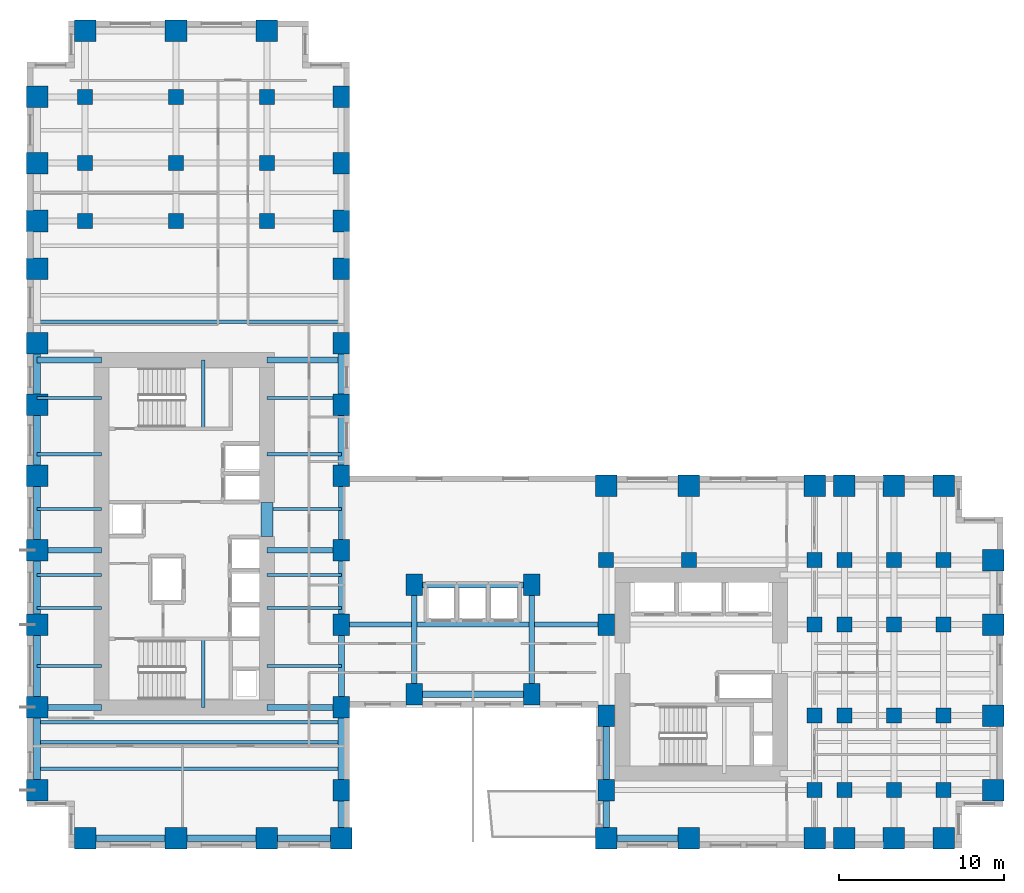
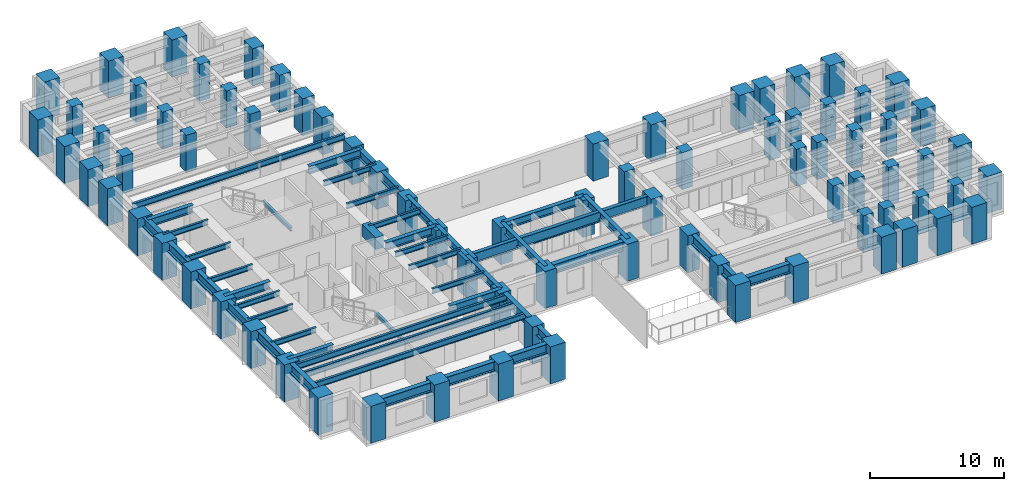
# One storey, part 1 of 12: 79 columns, 49 beams.
"""IFC4 building model written with IfcOpenShell, lengths in metres."""

from ifc_helpers import new_model, si_unit, direction, frame, origin, origin_2d, place, context, subcontext, project, spatial, rectangle, i_section, extrude, source, transform, mapped, material, material_profile, profile_set, type_object, element, save


model = new_model("IFC4")

# Units and contexts
model_context = context("Model", 3, precision=1e-05, world=origin(), true_north=direction((0.0, 1.0)))
body_context = subcontext(model_context, "Body", "Model", "MODEL_VIEW")
ifc_project = project(units=[si_unit("LENGTHUNIT", "METRE"), si_unit("AREAUNIT", "SQUARE_METRE"), si_unit("VOLUMEUNIT", "CUBIC_METRE"), si_unit("PLANEANGLEUNIT", "RADIAN"), si_unit("MASSUNIT", "GRAM", prefix="KILO")], contexts=[model_context])

# Site, building, storey
site_placement = place(None, origin())
site = spatial("IfcSite", under=ifc_project, at=site_placement, CompositionType="ELEMENT")
building_placement = place(site_placement, origin())
building = spatial("IfcBuilding", under=site, at=building_placement, Name="Kharzan Plaza Tower", CompositionType="ELEMENT")
storey_placement = place(building_placement, frame((0.0, 0.0, 62.10009765625)))
storey = spatial("IfcBuildingStorey", under=building, at=storey_placement, Name="L16", CompositionType="ELEMENT", Elevation=62.10009765625)

# Columns
ifc_material_1 = material(Name="Concrete C50/60", Category="concrete")
ifc_material_profile_1 = material_profile(ifc_material_1, rectangle(XDim=0.89990234375, YDim=0.89990234375, at=origin_2d()), Name="RC-IC900x900")
ifc_profile_set_1 = profile_set([ifc_material_profile_1], Name="Concrete C50/60")
column_type_1 = type_object("IfcColumnType", Name="COL-IC900", PredefinedType="COLUMN", material=ifc_profile_set_1)
shared_shape_1 = source(origin(), body_context, "Body", "SweptSolid", [
    extrude(rectangle(XDim=0.89990234375, YDim=0.89990234375, at=origin_2d()), origin(), (0.0, 0.0, 1.0), 3.3798828125),
])
for number, where, z_axis, x_axis, name in (
    (1, (47.60009765625, 13.5, 0.0), (0.0, 0.0, 1.0), (1.0, 0.0, 0.0), "L16 Structural Column TCBI-135"),
    (2, (47.60009765625, 3.5, 0.0), (0.0, 0.0, 1.0), (1.0, 0.0, 0.0), "L16 Structural Column TCBI-35"),
    (3, (47.60009765625, 8.0, 0.0), (0.0, 0.0, 1.0), (1.0, 0.0, 0.0), "L16 Structural Column TCBI-80"),
    (4, (35.0, 17.39990234375, 0.0), (0.0, 0.0, 1.0), (1.0, 0.0, 0.0), "L16 Structural Column TCBN-350-174"),
    (5, (40.0, 17.39990234375, 0.0), (0.0, 0.0, 1.0), (1.0, 0.0, 0.0), "L16 Structural Column TCBN-400-174"),
    (6, (47.60009765625, 17.39990234375, 0.0), (0.0, 0.0, 1.0), (1.0, 0.0, 0.0), "L16 Structural Column TCBN-476-174"),
    (7, (49.39990234375, 13.5, 0.0), (0.0, 0.0, 1.0), (1.0, 0.0, 0.0), "L16 Structural Column TCE-494-135"),
    (8, (49.39990234375, 17.39990234375, 0.0), (0.0, 0.0, 1.0), (1.0, 0.0, 0.0), "L16 Structural Column TCE-494-174"),
    (9, (49.39990234375, 3.5, 0.0), (0.0, 0.0, 1.0), (1.0, 0.0, 0.0), "L16 Structural Column TCE-494-35"),
    (10, (49.39990234375, 8.0, 0.0), (0.0, 0.0, 1.0), (1.0, 0.0, 0.0), "L16 Structural Column TCE-494-80"),
    (11, (52.39990234375, 13.5, 0.0), (0.0, 0.0, 1.0), (1.0, 0.0, 0.0), "L16 Structural Column TCE-524-135"),
    (12, (52.39990234375, 17.39990234375, 0.0), (0.0, 0.0, 1.0), (1.0, 0.0, 0.0), "L16 Structural Column TCE-524-174"),
    (13, (52.39990234375, 3.5, 0.0), (0.0, 0.0, 1.0), (1.0, 0.0, 0.0), "L16 Structural Column TCE-524-35"),
    (14, (52.39990234375, 8.0, 0.0), (0.0, 0.0, 1.0), (1.0, 0.0, 0.0), "L16 Structural Column TCE-524-80"),
    (15, (55.39990234375, 13.5, 0.0), (0.0, 0.0, 1.0), (1.0, 0.0, 0.0), "L16 Structural Column TCE-554-135"),
    (16, (55.39990234375, 17.39990234375, 0.0), (0.0, 0.0, 1.0), (1.0, 0.0, 0.0), "L16 Structural Column TCE-554-174"),
    (17, (55.39990234375, 3.5, 0.0), (0.0, 0.0, 1.0), (1.0, 0.0, 0.0), "L16 Structural Column TCE-554-35"),
    (18, (55.39990234375, 8.0, 0.0), (0.0, 0.0, 1.0), (1.0, 0.0, 0.0), "L16 Structural Column TCE-554-80"),
    (19, (14.5, 37.89990234375, 0.0), (0.0, 0.0, 1.0), (1.0, 0.0, 0.0), "L16 Structural Column TCN-145-379"),
    (20, (14.5, 41.39990234375, 0.0), (0.0, 0.0, 1.0), (1.0, 0.0, 0.0), "L16 Structural Column TCN-145-414"),
    (21, (14.5, 45.39990234375, 0.0), (0.0, 0.0, 1.0), (1.0, 0.0, 0.0), "L16 Structural Column TCN-145-454"),
    (22, (3.5, 37.89990234375, 0.0), (0.0, 0.0, 1.0), (1.0, 0.0, 0.0), "L16 Structural Column TCN-35-379"),
    (23, (3.5, 41.39990234375, 0.0), (0.0, 0.0, 1.0), (1.0, 0.0, 0.0), "L16 Structural Column TCN-35-414"),
    (24, (3.5, 45.39990234375, 0.0), (0.0, 0.0, 1.0), (1.0, 0.0, 0.0), "L16 Structural Column TCN-35-454"),
    (25, (9.0, 37.89990234375, 0.0), (0.0, 0.0, 1.0), (1.0, 0.0, 0.0), "L16 Structural Column TCN-90-379"),
    (26, (9.0, 41.39990234375, 0.0), (0.0, 0.0, 1.0), (1.0, 0.0, 0.0), "L16 Structural Column TCN-90-414"),
    (27, (9.0, 45.39990234375, 0.0), (0.0, 0.0, 1.0), (1.0, 0.0, 0.0), "L16 Structural Column TCN-90-454"),
):
    element("IfcColumn", number, at=place(storey_placement, frame(where, z_axis=z_axis, x_axis=x_axis)), inside=storey, type_object=column_type_1, Name=name, PredefinedType="COLUMN", context=body_context, shape_type="MappedRepresentation", body=[
        mapped(shared_shape_1, transform((0.0, 0.0, 0.0), x_axis=(1.0, 0.0, 0.0), y_axis=(0.0, 1.0, 0.0), z_axis=(0.0, 0.0, 1.0))),
    ])
ifc_material_2 = material(Name="Concrete C60/75", Category="concrete")
ifc_material_profile_2 = material_profile(ifc_material_2, rectangle(XDim=1.0, YDim=1.300048828125, at=origin_2d()), Name="RC-SC1300x1000")
ifc_profile_set_2 = profile_set([ifc_material_profile_2], Name="Concrete C60/75")
column_type_2 = type_object("IfcColumnType", Name="COL-SC1300", PredefinedType="COLUMN", material=ifc_profile_set_2)
shared_shape_2 = source(origin(), body_context, "Body", "SweptSolid", [
    extrude(rectangle(XDim=1.0, YDim=1.300048828125, at=origin_2d()), origin(), (0.0, 0.0, 1.0), 3.3798828125),
])
for number, where, z_axis, x_axis, name in (
    (28, (19.0, 13.5, 0.0), (0.0, 0.0, 1.0), (1.0, 0.0, 0.0), "L16 Structural Column TCA-135"),
    (29, (19.0, 18.0, 0.0), (0.0, 0.0, 1.0), (1.0, 0.0, 0.0), "L16 Structural Column TCA-180"),
    (30, (19.0, 22.5, 0.0), (0.0, 0.0, 1.0), (1.0, 0.0, 0.0), "L16 Structural Column TCA-225"),
    (31, (19.0, 26.800048828125, 0.0), (0.0, 0.0, 1.0), (1.0, 0.0, 0.0), "L16 Structural Column TCA-268"),
    (32, (19.0, 30.5, 0.0), (0.0, 0.0, 1.0), (1.0, 0.0, 0.0), "L16 Structural Column TCA-305"),
    (33, (19.0, 3.5, 0.0), (0.0, 0.0, 1.0), (1.0, 0.0, 0.0), "L16 Structural Column TCA-35"),
    (34, (19.0, 35.0, 0.0), (0.0, 0.0, 1.0), (1.0, 0.0, 0.0), "L16 Structural Column TCA-350"),
    (35, (19.0, 37.89990234375, 0.0), (0.0, 0.0, 1.0), (1.0, 0.0, 0.0), "L16 Structural Column TCA-379"),
    (36, (19.0, 41.39990234375, 0.0), (0.0, 0.0, 1.0), (1.0, 0.0, 0.0), "L16 Structural Column TCA-414"),
    (37, (19.0, 45.39990234375, 0.0), (0.0, 0.0, 1.0), (1.0, 0.0, 0.0), "L16 Structural Column TCA-454"),
    (38, (19.0, 8.5, 0.0), (0.0, 0.0, 1.0), (1.0, 0.0, 0.0), "L16 Structural Column TCA-85"),
    (39, (35.0, 13.5, 0.0), (0.0, 0.0, 1.0), (1.0, 0.0, 0.0), "L16 Structural Column TCBS-135"),
    (40, (35.0, 3.5, 0.0), (0.0, 0.0, 1.0), (1.0, 0.0, 0.0), "L16 Structural Column TCBS-35"),
    (41, (35.0, 8.0, 0.0), (0.0, 0.0, 1.0), (1.0, 0.0, 0.0), "L16 Structural Column TCBS-80"),
    (42, (23.39990234375, 15.89990234375, 0.0), (0.0, 0.0, 1.0), (1.0, 0.0, 0.0), "L16 Structural Column TCSP-234-159"),
    (43, (23.39990234375, 9.300048828125, 0.0), (0.0, 0.0, 1.0), (1.0, 0.0, 0.0), "L16 Structural Column TCSP-234-93"),
    (44, (30.5, 15.89990234375, 0.0), (0.0, 0.0, 1.0), (1.0, 0.0, 0.0), "L16 Structural Column TCSP-305-159"),
    (45, (30.5, 9.300048828125, 0.0), (0.0, 0.0, 1.0), (1.0, 0.0, 0.0), "L16 Structural Column TCSP-305-93"),
):
    element("IfcColumn", number, at=place(storey_placement, frame(where, z_axis=z_axis, x_axis=x_axis)), inside=storey, type_object=column_type_2, Name=name, PredefinedType="COLUMN", context=body_context, shape_type="MappedRepresentation", body=[
        mapped(shared_shape_2, transform((0.0, 0.0, 0.0), x_axis=(1.0, 0.0, 0.0), y_axis=(0.0, 1.0, 0.0), z_axis=(0.0, 0.0, 1.0))),
    ])
ifc_material_profile_3 = material_profile(ifc_material_2, rectangle(XDim=1.300048828125, YDim=1.300048828125, at=origin_2d()), Name="RC-TC1300x1300")
ifc_profile_set_3 = profile_set([ifc_material_profile_3], Name="Concrete C60/75")
column_type_3 = type_object("IfcColumnType", Name="COL-TC1300", PredefinedType="COLUMN", material=ifc_profile_set_3)
shared_shape_3 = source(origin(), body_context, "Body", "SweptSolid", [
    extrude(rectangle(XDim=1.300048828125, YDim=1.300048828125, at=origin_2d()), origin(), (0.0, 0.0, 1.0), 3.3798828125),
])
for number, where, z_axis, x_axis, name in (
    (46, (35.0, 21.89990234375, 0.0), (0.0, 0.0, 1.0), (1.0, 0.0, 0.0), "L16 Structural Column TCBN-350-219"),
    (47, (40.0, 21.89990234375, 0.0), (0.0, 0.0, 1.0), (1.0, 0.0, 0.0), "L16 Structural Column TCBN-400-219"),
    (48, (47.60009765625, 21.89990234375, 0.0), (0.0, 0.0, 1.0), (1.0, 0.0, 0.0), "L16 Structural Column TCBN-476-219"),
    (49, (49.39990234375, 21.89990234375, 0.0), (0.0, 0.0, 1.0), (1.0, 0.0, 0.0), "L16 Structural Column TCBN-494-219"),
    (50, (52.39990234375, 21.89990234375, 0.0), (0.0, 0.0, 1.0), (1.0, 0.0, 0.0), "L16 Structural Column TCBN-524-219"),
    (51, (55.39990234375, 21.89990234375, 0.0), (0.0, 0.0, 1.0), (1.0, 0.0, 0.0), "L16 Structural Column TCBN-554-219"),
    (52, (58.39990234375, 13.5, 0.0), (0.0, 0.0, 1.0), (1.0, 0.0, 0.0), "L16 Structural Column TCE-584-135"),
    (53, (58.39990234375, 17.39990234375, 0.0), (0.0, 0.0, 1.0), (1.0, 0.0, 0.0), "L16 Structural Column TCE-584-174"),
    (54, (58.39990234375, 3.5, 0.0), (0.0, 0.0, 1.0), (1.0, 0.0, 0.0), "L16 Structural Column TCE-584-35"),
    (55, (58.39990234375, 8.0, 0.0), (0.0, 0.0, 1.0), (1.0, 0.0, 0.0), "L16 Structural Column TCE-584-80"),
    (56, (14.5, 49.39990234375, 0.0), (0.0, 0.0, 1.0), (1.0, 0.0, 0.0), "L16 Structural Column TCN-145-494"),
    (57, (3.5, 49.39990234375, 0.0), (0.0, 0.0, 1.0), (1.0, 0.0, 0.0), "L16 Structural Column TCN-35-494"),
    (58, (9.0, 49.39990234375, 0.0), (0.0, 0.0, 1.0), (1.0, 0.0, 0.0), "L16 Structural Column TCN-90-494"),
    (59, (14.5, 0.60009765625, 0.0), (0.0, 0.0, 1.0), (1.0, 0.0, 0.0), "L16 Structural Column TCS-145"),
    (60, (19.0, 0.60009765625, 0.0), (0.0, 0.0, 1.0), (1.0, 0.0, 0.0), "L16 Structural Column TCS-190"),
    (61, (3.5, 0.60009765625, 0.0), (0.0, 0.0, 1.0), (1.0, 0.0, 0.0), "L16 Structural Column TCS-35"),
    (62, (35.0, 0.60009765625, 0.0), (0.0, 0.0, 1.0), (1.0, 0.0, 0.0), "L16 Structural Column TCS-350"),
    (63, (40.0, 0.60009765625, 0.0), (0.0, 0.0, 1.0), (1.0, 0.0, 0.0), "L16 Structural Column TCS-400"),
    (64, (47.60009765625, 0.60009765625, 0.0), (0.0, 0.0, 1.0), (1.0, 0.0, 0.0), "L16 Structural Column TCS-476"),
    (65, (49.39990234375, 0.60009765625, 0.0), (0.0, 0.0, 1.0), (1.0, 0.0, 0.0), "L16 Structural Column TCS-494"),
    (66, (52.39990234375, 0.60009765625, 0.0), (0.0, 0.0, 1.0), (1.0, 0.0, 0.0), "L16 Structural Column TCS-524"),
    (67, (55.39990234375, 0.60009765625, 0.0), (0.0, 0.0, 1.0), (1.0, 0.0, 0.0), "L16 Structural Column TCS-554"),
    (68, (9.0, 0.60009765625, 0.0), (0.0, 0.0, 1.0), (1.0, 0.0, 0.0), "L16 Structural Column TCS-90"),
    (69, (0.60009765625, 13.5, 0.0), (0.0, 0.0, 1.0), (1.0, 0.0, 0.0), "L16 Structural Column TCW-135"),
    (70, (0.60009765625, 18.0, 0.0), (0.0, 0.0, 1.0), (1.0, 0.0, 0.0), "L16 Structural Column TCW-180"),
    (71, (0.60009765625, 22.5, 0.0), (0.0, 0.0, 1.0), (1.0, 0.0, 0.0), "L16 Structural Column TCW-225"),
    (72, (0.60009765625, 26.800048828125, 0.0), (0.0, 0.0, 1.0), (1.0, 0.0, 0.0), "L16 Structural Column TCW-268"),
    (73, (0.60009765625, 30.5, 0.0), (0.0, 0.0, 1.0), (1.0, 0.0, 0.0), "L16 Structural Column TCW-305"),
    (74, (0.60009765625, 3.5, 0.0), (0.0, 0.0, 1.0), (1.0, 0.0, 0.0), "L16 Structural Column TCW-35"),
    (75, (0.60009765625, 35.0, 0.0), (0.0, 0.0, 1.0), (1.0, 0.0, 0.0), "L16 Structural Column TCW-350"),
    (76, (0.60009765625, 37.89990234375, 0.0), (0.0, 0.0, 1.0), (1.0, 0.0, 0.0), "L16 Structural Column TCW-379"),
    (77, (0.60009765625, 41.39990234375, 0.0), (0.0, 0.0, 1.0), (1.0, 0.0, 0.0), "L16 Structural Column TCW-414"),
    (78, (0.60009765625, 45.39990234375, 0.0), (0.0, 0.0, 1.0), (1.0, 0.0, 0.0), "L16 Structural Column TCW-454"),
    (79, (0.60009765625, 8.5, 0.0), (0.0, 0.0, 1.0), (1.0, 0.0, 0.0), "L16 Structural Column TCW-85"),
):
    element("IfcColumn", number, at=place(storey_placement, frame(where, z_axis=z_axis, x_axis=x_axis)), inside=storey, type_object=column_type_3, Name=name, PredefinedType="COLUMN", context=body_context, shape_type="MappedRepresentation", body=[
        mapped(shared_shape_3, transform((0.0, 0.0, 0.0), x_axis=(1.0, 0.0, 0.0), y_axis=(0.0, 1.0, 0.0), z_axis=(0.0, 0.0, 1.0))),
    ])

# Beams
ifc_material_profile_4 = material_profile(ifc_material_2, rectangle(XDim=0.699951171875, YDim=1.10009765625, at=origin_2d()), Name="RC-CB1100x700")
ifc_profile_set_4 = profile_set([ifc_material_profile_4], Name="Concrete C60/75")
beam_type_1 = type_object("IfcBeamType", Name="BM-RCCB1100", PredefinedType="LINTEL", material=ifc_profile_set_4)
shared_shape_4 = source(origin(), body_context, "Body", "SweptSolid", [
    extrude(rectangle(XDim=0.699951171875, YDim=1.10009765625, at=origin_2d()), origin(), (0.0, 0.0, 1.0), 2.059814453125),
])
beam_1_placement = place(storey_placement, frame((14.5, 18.820068359375, 2.829833984375), z_axis=(0.0, 1.0, 0.0), x_axis=(-1.0, 0.0, 0.0)))
element("IfcBeam", 80, at=beam_1_placement, inside=storey, type_object=beam_type_1, Name="L16 CORE-A RC coupling beam CB1", PredefinedType="LINTEL", context=body_context, shape_type="MappedRepresentation", body=[
    mapped(shared_shape_4, transform((0.0, 0.0, 0.0), x_axis=(1.0, 0.0, 0.0), y_axis=(0.0, 1.0, 0.0), z_axis=(0.0, 0.0, 1.0))),
])
ifc_material_3 = material(Name="Steel S355", Category="steel")
ifc_material_profile_5 = material_profile(ifc_material_3, i_section(OverallWidth=0.205078125, OverallDepth=0.35400390625, WebThickness=0.009521484375, FlangeThickness=0.016845703125, at=origin_2d()), Name="W360x79")
ifc_profile_set_5 = profile_set([ifc_material_profile_5], Name="Steel S355")
beam_type_2 = type_object("IfcBeamType", Name="BM-LNT360", PredefinedType="LINTEL", material=ifc_profile_set_5)
shared_shape_5 = source(origin(), body_context, "Body", "SweptSolid", [
    extrude(i_section(OverallWidth=0.205078125, OverallDepth=0.35400390625, WebThickness=0.009521484375, FlangeThickness=0.016845703125, at=origin_2d()), origin(), (0.0, 0.0, 1.0), 4.155029296875),
])
for number, where, z_axis, x_axis, name in (
    (81, (10.64990234375, 8.5, 1.4228515625), (0.0, 1.0, 0.0), (-1.0, 0.0, 0.0), "L16 Stair ST-1 Half-Landing Beam"),
    (82, (10.64990234375, 25.344970703125, 1.4228515625), (0.0, 1.0, 0.0), (-1.0, 0.0, 0.0), "L16 Stair ST-2 Half-Landing Beam"),
):
    element("IfcBeam", number, at=place(storey_placement, frame(where, z_axis=z_axis, x_axis=x_axis)), inside=storey, type_object=beam_type_2, Name=name, PredefinedType="LINTEL", context=body_context, shape_type="MappedRepresentation", body=[
        mapped(shared_shape_5, transform((0.0, 0.0, 0.0), x_axis=(1.0, 0.0, 0.0), y_axis=(0.0, 1.0, 0.0), z_axis=(0.0, 0.0, 1.0))),
    ])
ifc_material_profile_6 = material_profile(ifc_material_3, i_section(OverallWidth=0.304931640625, OverallDepth=0.9189453125, WebThickness=0.017333984375, FlangeThickness=0.02783203125, at=origin_2d()), Name="W920x253")
ifc_profile_set_6 = profile_set([ifc_material_profile_6], Name="Steel S355")
beam_type_3 = type_object("IfcBeamType", Name="BM-FG920B", PredefinedType="BEAM", material=ifc_profile_set_6)
shared_shape_6 = source(origin(), body_context, "Body", "SweptSolid", [
    extrude(i_section(OverallWidth=0.304931640625, OverallDepth=0.9189453125, WebThickness=0.017333984375, FlangeThickness=0.02783203125, at=origin_2d()), origin(), (0.0, 0.0, 1.0), 16.0),
])
beam_2_placement = place(storey_placement, frame((19.0, 13.5, 2.92041015625), z_axis=(1.0, 0.0, 0.0), x_axis=(0.0, 1.0, 0.0)))
element("IfcBeam", 83, at=beam_2_placement, inside=storey, type_object=beam_type_3, Name="L16 Primary Floor Girder", PredefinedType="BEAM", context=body_context, shape_type="MappedRepresentation", body=[
    mapped(shared_shape_6, transform((0.0, 0.0, 0.0), x_axis=(1.0, 0.0, 0.0), y_axis=(0.0, 1.0, 0.0), z_axis=(0.0, 0.0, 1.0))),
])
ifc_material_profile_7 = material_profile(ifc_material_3, i_section(OverallWidth=0.35498046875, OverallDepth=0.695068359375, WebThickness=0.015380859375, FlangeThickness=0.02490234375, at=origin_2d()), Name="W690x217")
ifc_profile_set_7 = profile_set([ifc_material_profile_7], Name="Steel S355")
beam_type_4 = type_object("IfcBeamType", Name="BM-FG690A", PredefinedType="BEAM", material=ifc_profile_set_7)
shared_shape_7 = source(origin(), body_context, "Body", "SweptSolid", [
    extrude(i_section(OverallWidth=0.35498046875, OverallDepth=0.695068359375, WebThickness=0.015380859375, FlangeThickness=0.02490234375, at=origin_2d()), origin(), (0.0, 0.0, 1.0), 4.5),
])
for number, where, z_axis, x_axis, name in (
    (84, (14.5, 8.5, 3.032470703125), (1.0, 0.0, 0.0), (0.0, 1.0, 0.0), "L16 Core-A East Floor Girder 1"),
    (85, (14.5, 18.0, 3.032470703125), (1.0, 0.0, 0.0), (0.0, 1.0, 0.0), "L16 Core-A East Floor Girder 2"),
    (86, (14.5, 29.5, 3.032470703125), (1.0, 0.0, 0.0), (0.0, 1.0, 0.0), "L16 Core-A East Floor Girder 3"),
    (87, (19.0, 13.5, 3.032470703125), (0.0, 1.0, 0.0), (-1.0, 0.0, 0.0), "L16 Interior Frame Girder"),
    (88, (19.0, 18.0, 3.032470703125), (0.0, 1.0, 0.0), (-1.0, 0.0, 0.0), "L16 Interior Frame Girder"),
):
    element("IfcBeam", number, at=place(storey_placement, frame(where, z_axis=z_axis, x_axis=x_axis)), inside=storey, type_object=beam_type_4, Name=name, PredefinedType="BEAM", context=body_context, shape_type="MappedRepresentation", body=[
        mapped(shared_shape_7, transform((0.0, 0.0, 0.0), x_axis=(1.0, 0.0, 0.0), y_axis=(0.0, 1.0, 0.0), z_axis=(0.0, 0.0, 1.0))),
    ])
shared_shape_8 = source(origin(), body_context, "Body", "SweptSolid", [
    extrude(i_section(OverallWidth=0.35498046875, OverallDepth=0.695068359375, WebThickness=0.015380859375, FlangeThickness=0.02490234375, at=origin_2d()), origin(), (0.0, 0.0, 1.0), 3.89990234375),
])
for number, where, z_axis, x_axis, name in (
    (89, (0.60009765625, 8.5, 3.032470703125), (1.0, 0.0, 0.0), (0.0, 1.0, 0.0), "L16 Core-A West Floor Girder 1"),
    (90, (0.60009765625, 18.0, 3.032470703125), (1.0, 0.0, 0.0), (0.0, 1.0, 0.0), "L16 Core-A West Floor Girder 2"),
    (91, (0.60009765625, 29.5, 3.032470703125), (1.0, 0.0, 0.0), (0.0, 1.0, 0.0), "L16 Core-A West Floor Girder 3"),
):
    element("IfcBeam", number, at=place(storey_placement, frame(where, z_axis=z_axis, x_axis=x_axis)), inside=storey, type_object=beam_type_4, Name=name, PredefinedType="BEAM", context=body_context, shape_type="MappedRepresentation", body=[
        mapped(shared_shape_8, transform((0.0, 0.0, 0.0), x_axis=(1.0, 0.0, 0.0), y_axis=(0.0, 1.0, 0.0), z_axis=(0.0, 0.0, 1.0))),
    ])
shared_shape_9 = source(origin(), body_context, "Body", "SweptSolid", [
    extrude(i_section(OverallWidth=0.35498046875, OverallDepth=0.695068359375, WebThickness=0.015380859375, FlangeThickness=0.02490234375, at=origin_2d()), origin(), (0.0, 0.0, 1.0), 5.0),
])
beam_3_placement = place(storey_placement, frame((19.0, 8.5, 3.032470703125), z_axis=(0.0, 1.0, 0.0), x_axis=(-1.0, 0.0, 0.0)))
element("IfcBeam", 92, at=beam_3_placement, inside=storey, type_object=beam_type_4, Name="L16 Interior Frame Girder", PredefinedType="BEAM", context=body_context, shape_type="MappedRepresentation", body=[
    mapped(shared_shape_9, transform((0.0, 0.0, 0.0), x_axis=(1.0, 0.0, 0.0), y_axis=(0.0, 1.0, 0.0), z_axis=(0.0, 0.0, 1.0))),
])
shared_shape_10 = source(origin(), body_context, "Body", "SweptSolid", [
    extrude(i_section(OverallWidth=0.35498046875, OverallDepth=0.695068359375, WebThickness=0.015380859375, FlangeThickness=0.02490234375, at=origin_2d()), origin(), (0.0, 0.0, 1.0), 6.599853515625),
])
for number, where, z_axis, x_axis, name in (
    (93, (23.39990234375, 9.300048828125, 3.032470703125), (0.0, 1.0, 0.0), (-1.0, 0.0, 0.0), "L16 Interior Frame Girder"),
    (94, (30.5, 9.300048828125, 3.032470703125), (0.0, 1.0, 0.0), (-1.0, 0.0, 0.0), "L16 Interior Frame Girder"),
):
    element("IfcBeam", number, at=place(storey_placement, frame(where, z_axis=z_axis, x_axis=x_axis)), inside=storey, type_object=beam_type_4, Name=name, PredefinedType="BEAM", context=body_context, shape_type="MappedRepresentation", body=[
        mapped(shared_shape_10, transform((0.0, 0.0, 0.0), x_axis=(1.0, 0.0, 0.0), y_axis=(0.0, 1.0, 0.0), z_axis=(0.0, 0.0, 1.0))),
    ])
shared_shape_11 = source(origin(), body_context, "Body", "SweptSolid", [
    extrude(i_section(OverallWidth=0.35498046875, OverallDepth=0.695068359375, WebThickness=0.015380859375, FlangeThickness=0.02490234375, at=origin_2d()), origin(), (0.0, 0.0, 1.0), 7.10009765625),
])
beam_4_placement = place(storey_placement, frame((23.39990234375, 15.89990234375, 3.032470703125), z_axis=(1.0, 0.0, 0.0), x_axis=(0.0, 1.0, 0.0)))
element("IfcBeam", 95, at=beam_4_placement, inside=storey, type_object=beam_type_4, Name="L16 Primary Floor Girder", PredefinedType="BEAM", context=body_context, shape_type="MappedRepresentation", body=[
    mapped(shared_shape_11, transform((0.0, 0.0, 0.0), x_axis=(1.0, 0.0, 0.0), y_axis=(0.0, 1.0, 0.0), z_axis=(0.0, 0.0, 1.0))),
])
ifc_material_profile_8 = material_profile(ifc_material_3, i_section(OverallWidth=0.2099609375, OverallDepth=0.537109375, WebThickness=0.010986328125, FlangeThickness=0.017333984375, at=origin_2d()), Name="W530x101")
ifc_profile_set_8 = profile_set([ifc_material_profile_8], Name="Steel S355")
beam_type_5 = type_object("IfcBeamType", Name="BM-JST530B", PredefinedType="JOIST", material=ifc_profile_set_8)
shared_shape_12 = source(origin(), body_context, "Body", "SweptSolid", [
    extrude(i_section(OverallWidth=0.2099609375, OverallDepth=0.537109375, WebThickness=0.010986328125, FlangeThickness=0.017333984375, at=origin_2d()), origin(), (0.0, 0.0, 1.0), 18.39990234375),
])
for number, where, z_axis, x_axis, name in (
    (96, (0.60009765625, 4.800048828125, 3.111328125), (1.0, 0.0, 0.0), (0.0, 1.0, 0.0), "L16 Wing A Composite Joist 01"),
    (97, (0.60009765625, 6.39990234375, 3.111328125), (1.0, 0.0, 0.0), (0.0, 1.0, 0.0), "L16 Wing A Composite Joist 02"),
    (98, (0.60009765625, 7.60009765625, 3.111328125), (1.0, 0.0, 0.0), (0.0, 1.0, 0.0), "L16 Wing A Composite Joist 03"),
    (99, (0.60009765625, 31.800048828125, 3.111328125), (1.0, 0.0, 0.0), (0.0, 1.0, 0.0), "L16 Wing A Composite Joist 04"),
):
    element("IfcBeam", number, at=place(storey_placement, frame(where, z_axis=z_axis, x_axis=x_axis)), inside=storey, type_object=beam_type_5, Name=name, PredefinedType="JOIST", context=body_context, shape_type="MappedRepresentation", body=[
        mapped(shared_shape_12, transform((0.0, 0.0, 0.0), x_axis=(1.0, 0.0, 0.0), y_axis=(0.0, 1.0, 0.0), z_axis=(0.0, 0.0, 1.0))),
    ])
ifc_material_profile_9 = material_profile(ifc_material_3, i_section(OverallWidth=0.194091796875, OverallDepth=0.468994140625, WebThickness=0.011474609375, FlangeThickness=0.0205078125, at=origin_2d()), Name="W460x106")
ifc_profile_set_9 = profile_set([ifc_material_profile_9], Name="Steel S355")
beam_type_6 = type_object("IfcBeamType", Name="BM-JST460", PredefinedType="JOIST", material=ifc_profile_set_9)
shared_shape_13 = source(origin(), body_context, "Body", "SweptSolid", [
    extrude(i_section(OverallWidth=0.194091796875, OverallDepth=0.468994140625, WebThickness=0.011474609375, FlangeThickness=0.0205078125, at=origin_2d()), origin(), (0.0, 0.0, 1.0), 4.5),
])
for number, where, z_axis, x_axis, name in (
    (100, (14.5, 11.0, 3.1455078125), (1.0, 0.0, 0.0), (0.0, 1.0, 0.0), "L16 Wing A East Infill Joist 1"),
    (101, (14.5, 14.5, 3.1455078125), (1.0, 0.0, 0.0), (0.0, 1.0, 0.0), "L16 Wing A East Infill Joist 2"),
    (102, (14.5, 16.5, 3.1455078125), (1.0, 0.0, 0.0), (0.0, 1.0, 0.0), "L16 Wing A East Infill Joist 3"),
    (103, (14.5, 20.5, 3.1455078125), (1.0, 0.0, 0.0), (0.0, 1.0, 0.0), "L16 Wing A East Infill Joist 4"),
    (104, (14.5, 23.800048828125, 3.1455078125), (1.0, 0.0, 0.0), (0.0, 1.0, 0.0), "L16 Wing A East Infill Joist 5"),
    (105, (14.5, 27.199951171875, 3.1455078125), (1.0, 0.0, 0.0), (0.0, 1.0, 0.0), "L16 Wing A East Infill Joist 6"),
):
    element("IfcBeam", number, at=place(storey_placement, frame(where, z_axis=z_axis, x_axis=x_axis)), inside=storey, type_object=beam_type_6, Name=name, PredefinedType="JOIST", context=body_context, shape_type="MappedRepresentation", body=[
        mapped(shared_shape_13, transform((0.0, 0.0, 0.0), x_axis=(1.0, 0.0, 0.0), y_axis=(0.0, 1.0, 0.0), z_axis=(0.0, 0.0, 1.0))),
    ])
shared_shape_14 = source(origin(), body_context, "Body", "SweptSolid", [
    extrude(i_section(OverallWidth=0.194091796875, OverallDepth=0.468994140625, WebThickness=0.011474609375, FlangeThickness=0.0205078125, at=origin_2d()), origin(), (0.0, 0.0, 1.0), 3.89990234375),
])
for number, where, z_axis, x_axis, name in (
    (106, (0.60009765625, 11.0, 3.1455078125), (1.0, 0.0, 0.0), (0.0, 1.0, 0.0), "L16 Wing A West Infill Joist 1"),
    (107, (0.60009765625, 14.5, 3.1455078125), (1.0, 0.0, 0.0), (0.0, 1.0, 0.0), "L16 Wing A West Infill Joist 2"),
    (108, (0.60009765625, 16.5, 3.1455078125), (1.0, 0.0, 0.0), (0.0, 1.0, 0.0), "L16 Wing A West Infill Joist 3"),
    (109, (0.60009765625, 20.5, 3.1455078125), (1.0, 0.0, 0.0), (0.0, 1.0, 0.0), "L16 Wing A West Infill Joist 4"),
    (110, (0.60009765625, 23.800048828125, 3.1455078125), (1.0, 0.0, 0.0), (0.0, 1.0, 0.0), "L16 Wing A West Infill Joist 5"),
    (111, (0.60009765625, 27.199951171875, 3.1455078125), (1.0, 0.0, 0.0), (0.0, 1.0, 0.0), "L16 Wing A West Infill Joist 6"),
):
    element("IfcBeam", number, at=place(storey_placement, frame(where, z_axis=z_axis, x_axis=x_axis)), inside=storey, type_object=beam_type_6, Name=name, PredefinedType="JOIST", context=body_context, shape_type="MappedRepresentation", body=[
        mapped(shared_shape_14, transform((0.0, 0.0, 0.0), x_axis=(1.0, 0.0, 0.0), y_axis=(0.0, 1.0, 0.0), z_axis=(0.0, 0.0, 1.0))),
    ])
ifc_material_profile_10 = material_profile(ifc_material_3, i_section(OverallWidth=0.40087890625, OverallDepth=0.85498046875, WebThickness=0.018310546875, FlangeThickness=0.029296875, at=origin_2d()), Name="W840x299")
ifc_profile_set_10 = profile_set([ifc_material_profile_10], Name="Steel S355")
beam_type_7 = type_object("IfcBeamType", Name="BM-SP840A", PredefinedType="SPANDREL", material=ifc_profile_set_10)
shared_shape_15 = source(origin(), body_context, "Body", "SweptSolid", [
    extrude(i_section(OverallWidth=0.40087890625, OverallDepth=0.85498046875, WebThickness=0.018310546875, FlangeThickness=0.029296875, at=origin_2d()), origin(), (0.0, 0.0, 1.0), 5.0),
])
for number, where, z_axis, x_axis, name in (
    (112, (0.60009765625, 3.5, 2.952392578125), (0.0, 1.0, 0.0), (-1.0, 0.0, 0.0), "L16 Perimeter Tube Spandrel"),
    (113, (0.60009765625, 8.5, 2.952392578125), (0.0, 1.0, 0.0), (-1.0, 0.0, 0.0), "L16 Perimeter Tube Spandrel"),
    (114, (19.0, 3.5, 2.952392578125), (0.0, 1.0, 0.0), (-1.0, 0.0, 0.0), "L16 Perimeter Tube Spandrel"),
    (115, (35.0, 0.60009765625, 2.952392578125), (1.0, 0.0, 0.0), (0.0, 1.0, 0.0), "L16 Perimeter Tube Spandrel"),
):
    element("IfcBeam", number, at=place(storey_placement, frame(where, z_axis=z_axis, x_axis=x_axis)), inside=storey, type_object=beam_type_7, Name=name, PredefinedType="SPANDREL", context=body_context, shape_type="MappedRepresentation", body=[
        mapped(shared_shape_15, transform((0.0, 0.0, 0.0), x_axis=(1.0, 0.0, 0.0), y_axis=(0.0, 1.0, 0.0), z_axis=(0.0, 0.0, 1.0))),
    ])
shared_shape_16 = source(origin(), body_context, "Body", "SweptSolid", [
    extrude(i_section(OverallWidth=0.40087890625, OverallDepth=0.85498046875, WebThickness=0.018310546875, FlangeThickness=0.029296875, at=origin_2d()), origin(), (0.0, 0.0, 1.0), 4.5),
])
for number, where, z_axis, x_axis, name in (
    (116, (0.60009765625, 13.5, 2.952392578125), (0.0, 1.0, 0.0), (-1.0, 0.0, 0.0), "L16 Perimeter Tube Spandrel"),
    (117, (0.60009765625, 18.0, 2.952392578125), (0.0, 1.0, 0.0), (-1.0, 0.0, 0.0), "L16 Perimeter Tube Spandrel"),
    (118, (35.0, 3.5, 2.952392578125), (0.0, 1.0, 0.0), (-1.0, 0.0, 0.0), "L16 Perimeter Tube Spandrel"),
    (119, (14.5, 0.60009765625, 2.952392578125), (1.0, 0.0, 0.0), (0.0, 1.0, 0.0), "L16 Perimeter Tube Spandrel"),
):
    element("IfcBeam", number, at=place(storey_placement, frame(where, z_axis=z_axis, x_axis=x_axis)), inside=storey, type_object=beam_type_7, Name=name, PredefinedType="SPANDREL", context=body_context, shape_type="MappedRepresentation", body=[
        mapped(shared_shape_16, transform((0.0, 0.0, 0.0), x_axis=(1.0, 0.0, 0.0), y_axis=(0.0, 1.0, 0.0), z_axis=(0.0, 0.0, 1.0))),
    ])
shared_shape_17 = source(origin(), body_context, "Body", "SweptSolid", [
    extrude(i_section(OverallWidth=0.40087890625, OverallDepth=0.85498046875, WebThickness=0.018310546875, FlangeThickness=0.029296875, at=origin_2d()), origin(), (0.0, 0.0, 1.0), 4.300048828125),
])
for number, where, z_axis, x_axis, name in (
    (120, (0.60009765625, 22.5, 2.952392578125), (0.0, 1.0, 0.0), (-1.0, 0.0, 0.0), "L16 Perimeter Tube Spandrel"),
    (121, (19.0, 22.5, 2.952392578125), (0.0, 1.0, 0.0), (-1.0, 0.0, 0.0), "L16 Perimeter Tube Spandrel"),
):
    element("IfcBeam", number, at=place(storey_placement, frame(where, z_axis=z_axis, x_axis=x_axis)), inside=storey, type_object=beam_type_7, Name=name, PredefinedType="SPANDREL", context=body_context, shape_type="MappedRepresentation", body=[
        mapped(shared_shape_17, transform((0.0, 0.0, 0.0), x_axis=(1.0, 0.0, 0.0), y_axis=(0.0, 1.0, 0.0), z_axis=(0.0, 0.0, 1.0))),
    ])
shared_shape_18 = source(origin(), body_context, "Body", "SweptSolid", [
    extrude(i_section(OverallWidth=0.40087890625, OverallDepth=0.85498046875, WebThickness=0.018310546875, FlangeThickness=0.029296875, at=origin_2d()), origin(), (0.0, 0.0, 1.0), 3.699951171875),
])
for number, where, z_axis, x_axis, name in (
    (122, (0.60009765625, 26.800048828125, 2.952392578125), (0.0, 1.0, 0.0), (-1.0, 0.0, 0.0), "L16 Perimeter Tube Spandrel"),
    (123, (19.0, 26.800048828125, 2.952392578125), (0.0, 1.0, 0.0), (-1.0, 0.0, 0.0), "L16 Perimeter Tube Spandrel"),
):
    element("IfcBeam", number, at=place(storey_placement, frame(where, z_axis=z_axis, x_axis=x_axis)), inside=storey, type_object=beam_type_7, Name=name, PredefinedType="SPANDREL", context=body_context, shape_type="MappedRepresentation", body=[
        mapped(shared_shape_18, transform((0.0, 0.0, 0.0), x_axis=(1.0, 0.0, 0.0), y_axis=(0.0, 1.0, 0.0), z_axis=(0.0, 0.0, 1.0))),
    ])
shared_shape_19 = source(origin(), body_context, "Body", "SweptSolid", [
    extrude(i_section(OverallWidth=0.40087890625, OverallDepth=0.85498046875, WebThickness=0.018310546875, FlangeThickness=0.029296875, at=origin_2d()), origin(), (0.0, 0.0, 1.0), 2.89990234375),
])
for number, where, z_axis, x_axis, name in (
    (124, (19.0, 0.60009765625, 2.952392578125), (0.0, 1.0, 0.0), (-1.0, 0.0, 0.0), "L16 Perimeter Tube Spandrel"),
    (125, (35.0, 0.60009765625, 2.952392578125), (0.0, 1.0, 0.0), (-1.0, 0.0, 0.0), "L16 Perimeter Tube Spandrel"),
):
    element("IfcBeam", number, at=place(storey_placement, frame(where, z_axis=z_axis, x_axis=x_axis)), inside=storey, type_object=beam_type_7, Name=name, PredefinedType="SPANDREL", context=body_context, shape_type="MappedRepresentation", body=[
        mapped(shared_shape_19, transform((0.0, 0.0, 0.0), x_axis=(1.0, 0.0, 0.0), y_axis=(0.0, 1.0, 0.0), z_axis=(0.0, 0.0, 1.0))),
    ])
shared_shape_20 = source(origin(), body_context, "Body", "SweptSolid", [
    extrude(i_section(OverallWidth=0.40087890625, OverallDepth=0.85498046875, WebThickness=0.018310546875, FlangeThickness=0.029296875, at=origin_2d()), origin(), (0.0, 0.0, 1.0), 5.5),
])
for number, where, z_axis, x_axis, name in (
    (126, (3.5, 0.60009765625, 2.952392578125), (1.0, 0.0, 0.0), (0.0, 1.0, 0.0), "L16 Perimeter Tube Spandrel"),
    (127, (9.0, 0.60009765625, 2.952392578125), (1.0, 0.0, 0.0), (0.0, 1.0, 0.0), "L16 Perimeter Tube Spandrel"),
):
    element("IfcBeam", number, at=place(storey_placement, frame(where, z_axis=z_axis, x_axis=x_axis)), inside=storey, type_object=beam_type_7, Name=name, PredefinedType="SPANDREL", context=body_context, shape_type="MappedRepresentation", body=[
        mapped(shared_shape_20, transform((0.0, 0.0, 0.0), x_axis=(1.0, 0.0, 0.0), y_axis=(0.0, 1.0, 0.0), z_axis=(0.0, 0.0, 1.0))),
    ])
shared_shape_21 = source(origin(), body_context, "Body", "SweptSolid", [
    extrude(i_section(OverallWidth=0.40087890625, OverallDepth=0.85498046875, WebThickness=0.018310546875, FlangeThickness=0.029296875, at=origin_2d()), origin(), (0.0, 0.0, 1.0), 7.10009765625),
])
beam_5_placement = place(storey_placement, frame((23.39990234375, 9.300048828125, 2.952392578125), z_axis=(1.0, 0.0, 0.0), x_axis=(0.0, 1.0, 0.0)))
element("IfcBeam", 128, at=beam_5_placement, inside=storey, type_object=beam_type_7, Name="L16 Perimeter Tube Spandrel", PredefinedType="SPANDREL", context=body_context, shape_type="MappedRepresentation", body=[
    mapped(shared_shape_21, transform((0.0, 0.0, 0.0), x_axis=(1.0, 0.0, 0.0), y_axis=(0.0, 1.0, 0.0), z_axis=(0.0, 0.0, 1.0))),
])

save(model, "model.ifc")
